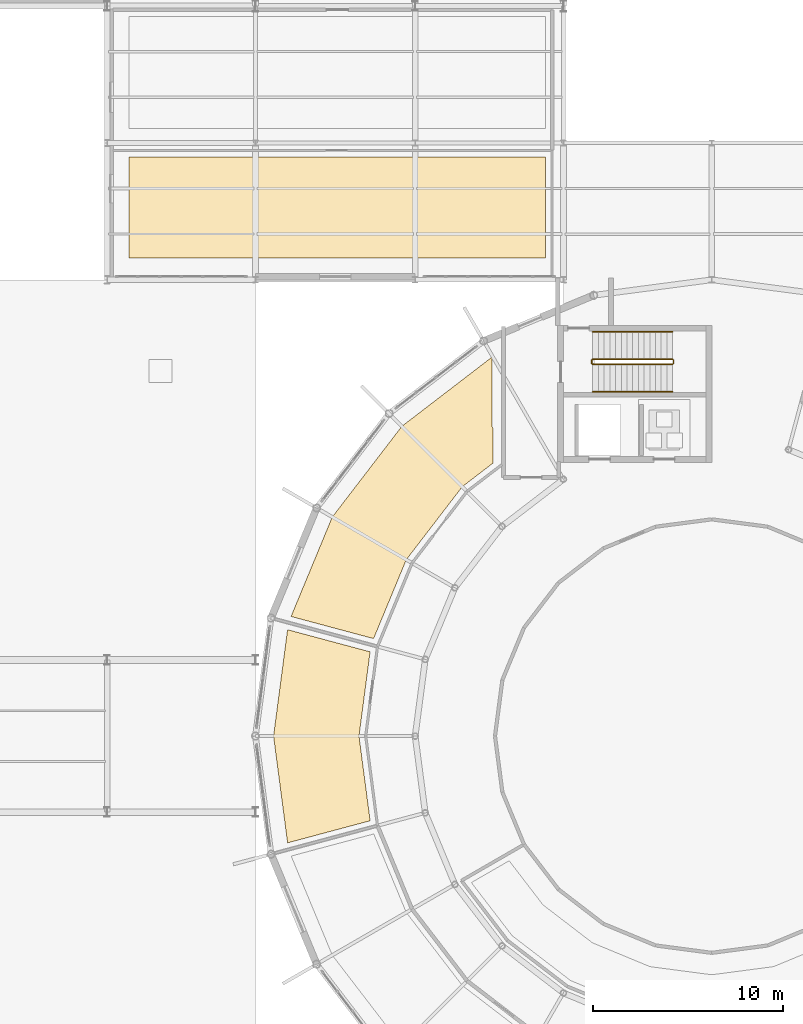
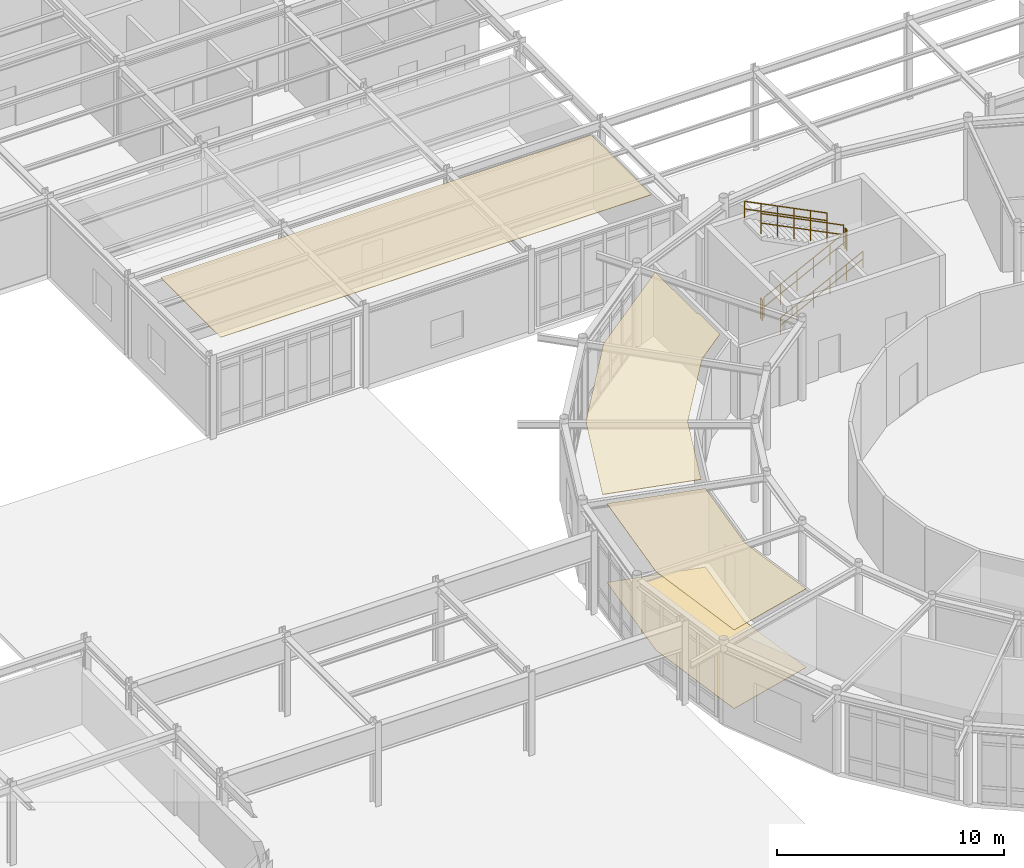
# One storey, part 95 of 101: 6 railings, 4 coverings.
"""IFC4 building model written with IfcOpenShell, lengths in metres."""

from ifc_helpers import new_model, si_unit, derived_unit, direction, frame, origin, origin_2d, place, context, subcontext, project, spatial, polyline, circle, outline, extrude, material, layer, layer_set, type_object, element, save


model = new_model("IFC4")

# Units and contexts
model_context = context("Model", 3, precision=1e-05, world=origin(), true_north=direction((0.0, 1.0)))
body_context = subcontext(model_context, "Body", "Model", "MODEL_VIEW")
ifc_project = project(units=[si_unit("LENGTHUNIT", "METRE"), si_unit("AREAUNIT", "SQUARE_METRE"), si_unit("VOLUMEUNIT", "CUBIC_METRE"), si_unit("PLANEANGLEUNIT", "RADIAN"), si_unit("MASSUNIT", "GRAM", prefix="KILO"), derived_unit("THERMALTRANSMITTANCEUNIT", [(si_unit("POWERUNIT", "WATT"), 1), (si_unit("AREAUNIT", "SQUARE_METRE"), -1), (si_unit("THERMODYNAMICTEMPERATUREUNIT", "KELVIN"), -1)])], contexts=[model_context])

# Site, building, storey
site_placement = place(None, origin())
site = spatial("IfcSite", under=ifc_project, at=site_placement, CompositionType="ELEMENT")
building_placement = place(site_placement, origin())
building = spatial("IfcBuilding", under=site, at=building_placement, Name="Yasenodar Specialist Clinic", CompositionType="ELEMENT")
storey_placement = place(building_placement, origin())
storey = spatial("IfcBuildingStorey", under=building, at=storey_placement, Name="L00", CompositionType="ELEMENT", Elevation=0.0)

# Coverings
ifc_material_1 = material(Name="Hygienic Acoustic Mineral-Fibre Ceiling")
ifc_layer_1 = layer(ifc_material_1, 0.02490234375)
ifc_layer_set_1 = layer_set([ifc_layer_1], Name="Hygienic Acoustic Mineral-Fibre Ceiling")
covering_type_1 = type_object("IfcCoveringType", Name="COV-CEIL-AC", PredefinedType="CEILING", material=ifc_layer_set_1)
covering_1_placement = place(storey_placement, frame((0.0, 0.0, 4.22509765625)))
element("IfcCovering", 1, at=covering_1_placement, inside=storey, type_object=covering_type_1, Name="L00 Ambulatory Dialysis Treatment Suite A Acoustic Ceiling", PredefinedType="CEILING", context=body_context, shape_type="SweptSolid", body=[
    extrude(outline(polyline([(67.873046875, 71.906005859375), (67.85302734375, 71.882080078125), (64.9609375, 68.113037109375), (64.943115234375, 68.087890625), (64.927978515625, 68.06201171875), (64.9150390625, 68.033935546875), (63.214111328125, 63.927978515625), (58.873046875, 65.091064453125), (61.041015625, 70.322998046875), (64.702880859375, 75.096923828125), (69.429931640625, 78.72412109375), (69.429931640625, 75.179931640625), (69.431884765625, 75.14599609375), (69.43701171875, 75.112060546875), (69.445068359375, 75.077880859375), (69.45703125, 75.0458984375), (69.470947265625, 75.014892578125), (69.489013671875, 74.986083984375), (69.5, 74.970947265625), (69.5, 73.160888671875), (67.91796875, 71.947021484375), (67.89404296875, 71.927001953125), (67.873046875, 71.906005859375)])), origin(), (0.0, 0.0, 1.0), 0.02490234375),
])
covering_2_placement = place(storey_placement, frame((0.0, 0.0, 4.22509765625)))
element("IfcCovering", 2, at=covering_2_placement, inside=storey, type_object=covering_type_1, Name="L00 Drum Patient Waiting Lounge Acoustic Ceiling", PredefinedType="CEILING", context=body_context, shape_type="SweptSolid", body=[
    extrude(outline(polyline([(62.449951171875, 58.784912109375), (62.452880859375, 58.75390625), (63.032958984375, 54.347900390625), (58.69189453125, 53.18505859375), (57.952880859375, 58.800048828125), (58.68994140625, 64.39501953125), (63.030029296875, 63.23193359375), (62.452880859375, 58.845947265625), (62.449951171875, 58.81494140625), (62.449951171875, 58.784912109375)])), origin(), (0.0, 0.0, 1.0), 0.02490234375),
])
covering_3_placement = place(storey_placement, frame((0.0, 0.0, 4.22509765625)))
element("IfcCovering", 3, at=covering_3_placement, inside=storey, type_object=covering_type_1, Name="L00 Surgical Day-Admission Reception Acoustic Ceiling", PredefinedType="CEILING", context=body_context, shape_type="SweptSolid", body=[
    extrude(outline(polyline([(72.25, 83.949951171875), (50.35009765625, 83.949951171875), (50.35009765625, 89.25), (72.25, 89.25), (72.25, 83.949951171875)])), origin(), (0.0, 0.0, 1.0), 0.02490234375),
])
ifc_material_2 = material(Name="Seamless Epoxy Terrazzo Clinical Flooring")
ifc_layer_2 = layer(ifc_material_2, 0.02001953125)
ifc_layer_set_2 = layer_set([ifc_layer_2], Name="Seamless Epoxy Terrazzo Clinical Flooring")
covering_type_2 = type_object("IfcCoveringType", Name="COV-FLR-TERR", PredefinedType="FLOORING", material=ifc_layer_set_2)
covering_4_placement = place(storey_placement, origin())
element("IfcCovering", 4, at=covering_4_placement, inside=storey, type_object=covering_type_2, Name="L00 Drum Patient Waiting Lounge Terrazzo Flooring", PredefinedType="FLOORING", context=body_context, shape_type="SweptSolid", body=[
    extrude(outline(polyline([(62.449951171875, 58.784912109375), (62.452880859375, 58.75390625), (63.032958984375, 54.347900390625), (58.69189453125, 53.18505859375), (57.952880859375, 58.800048828125), (58.68994140625, 64.39501953125), (63.030029296875, 63.23193359375), (62.452880859375, 58.845947265625), (62.449951171875, 58.81494140625), (62.449951171875, 58.784912109375)])), origin(), (0.0, 0.0, 1.0), 0.02001953125),
])

# Railings
ifc_material_3 = material(Name="Steel S355 Painted Stair Guardrail", Category="steel")
railing_type_1 = type_object("IfcRailingType", Name="RL-ST-GRD", PredefinedType="GUARDRAIL", material=ifc_material_3)
railing_1_placement = place(storey_placement, frame((74.739990234375, 78.35009765625, 0.14990234375)))
element("IfcRailing", 5, at=railing_1_placement, inside=storey, type_object=railing_type_1, Name="L00 ST-03 stair guard 1", PredefinedType="GUARDRAIL", context=body_context, shape_type="SweptSolid", body=[
    extrude(circle(Radius=0.02392578125, at=origin_2d()), frame((0.0, 0.0, 1.09619140625), z_axis=(0.894416792377, 0.0, 0.447234392142), x_axis=(0.0, 1.0, 0.0)), (0.0, 0.0, 1.0), 4.69580078125),
    extrude(circle(Radius=0.02392578125, at=origin_2d()), frame((0.0, 0.0, 0.58251953125), z_axis=(0.894416792377, 0.0, 0.447234392142), x_axis=(0.0, 1.0, 0.0)), (0.0, 0.0, 1.0), 4.69580078125),
    extrude(circle(Radius=0.02099609375, at=origin_2d()), origin(), (0.0, 0.0, 1.0), 1.072021484375),
    extrude(circle(Radius=0.02099609375, at=origin_2d()), frame((0.840087890625, 0.0, 0.419921875)), (0.0, 0.0, 1.0), 1.072021484375),
    extrude(circle(Radius=0.02099609375, at=origin_2d()), frame((1.679931640625, 0.0, 0.840087890625)), (0.0, 0.0, 1.0), 1.072021484375),
    extrude(circle(Radius=0.02099609375, at=origin_2d()), frame((2.52001953125, 0.0, 1.260009765625)), (0.0, 0.0, 1.0), 1.072021484375),
    extrude(circle(Radius=0.02099609375, at=origin_2d()), frame((3.35986328125, 0.0, 1.68017578125)), (0.0, 0.0, 1.0), 1.072021484375),
    extrude(circle(Radius=0.02099609375, at=origin_2d()), frame((4.199951171875, 0.0, 2.10009765625)), (0.0, 0.0, 1.0), 1.072021484375),
])
railing_2_placement = place(storey_placement, frame((78.989990234375, 78.39990234375, 2.25)))
element("IfcRailing", 6, at=railing_2_placement, inside=storey, type_object=railing_type_1, Name="L00 ST-03 stair guard 2", PredefinedType="GUARDRAIL", context=body_context, shape_type="SweptSolid", body=[
    extrude(circle(Radius=0.02392578125, at=origin_2d()), frame((0.0, 0.0, 1.09619140625), z_axis=(0.0, 1.0, 0.0), x_axis=(-1.0, 0.0, 0.0)), (0.0, 0.0, 1.0), 0.170166015625),
    extrude(circle(Radius=0.02392578125, at=origin_2d()), frame((0.0, 0.0, 0.58251953125), z_axis=(0.0, 1.0, 0.0), x_axis=(-1.0, 0.0, 0.0)), (0.0, 0.0, 1.0), 0.170166015625),
    extrude(circle(Radius=0.02099609375, at=origin_2d()), origin(), (0.0, 0.0, 1.0), 1.072021484375),
    extrude(circle(Radius=0.02099609375, at=origin_2d()), frame((0.0, 0.170166015625, 0.0)), (0.0, 0.0, 1.0), 1.072021484375),
])
railing_3_placement = place(storey_placement, frame((78.93994140625, 78.6201171875, 2.39990234375)))
element("IfcRailing", 7, at=railing_3_placement, inside=storey, type_object=railing_type_1, Name="L00 ST-03 stair guard 3", PredefinedType="GUARDRAIL", context=body_context, shape_type="SweptSolid", body=[
    extrude(circle(Radius=0.02392578125, at=origin_2d()), frame((0.0, 0.0, 1.09619140625), z_axis=(-0.894416792377, 0.0, 0.447234392142), x_axis=(0.0, -1.0, 0.0)), (0.0, 0.0, 1.0), 4.69580078125),
    extrude(circle(Radius=0.02392578125, at=origin_2d()), frame((0.0, 0.0, 0.58251953125), z_axis=(-0.894416792377, 0.0, 0.447234392142), x_axis=(0.0, -1.0, 0.0)), (0.0, 0.0, 1.0), 4.69580078125),
    extrude(circle(Radius=0.02099609375, at=origin_2d()), origin(), (0.0, 0.0, 1.0), 1.072021484375),
    extrude(circle(Radius=0.02099609375, at=origin_2d()), frame((-0.840087890625, 0.0, 0.419921875)), (0.0, 0.0, 1.0), 1.072021484375),
    extrude(circle(Radius=0.02099609375, at=origin_2d()), frame((-1.679931640625, 0.0, 0.840087890625)), (0.0, 0.0, 1.0), 1.072021484375),
    extrude(circle(Radius=0.02099609375, at=origin_2d()), frame((-2.52001953125, 0.0, 1.260009765625)), (0.0, 0.0, 1.0), 1.072021484375),
    extrude(circle(Radius=0.02099609375, at=origin_2d()), frame((-3.35986328125, 0.0, 1.68017578125)), (0.0, 0.0, 1.0), 1.072021484375),
    extrude(circle(Radius=0.02099609375, at=origin_2d()), frame((-4.199951171875, 0.0, 2.10009765625)), (0.0, 0.0, 1.0), 1.072021484375),
])
railing_4_placement = place(storey_placement, frame((74.68994140625, 78.39990234375, 0.0)))
element("IfcRailing", 8, at=railing_4_placement, inside=storey, type_object=railing_type_1, Name="L00 ST-03 stair guard 4", PredefinedType="GUARDRAIL", context=body_context, shape_type="SweptSolid", body=[
    extrude(circle(Radius=0.02392578125, at=origin_2d()), frame((0.0, 0.0, 1.09619140625), z_axis=(0.0, 1.0, 0.0), x_axis=(-1.0, 0.0, 0.0)), (0.0, 0.0, 1.0), 0.170166015625),
    extrude(circle(Radius=0.02392578125, at=origin_2d()), frame((0.0, 0.0, 0.58251953125), z_axis=(0.0, 1.0, 0.0), x_axis=(-1.0, 0.0, 0.0)), (0.0, 0.0, 1.0), 0.170166015625),
    extrude(circle(Radius=0.02099609375, at=origin_2d()), origin(), (0.0, 0.0, 1.0), 1.072021484375),
    extrude(circle(Radius=0.02099609375, at=origin_2d()), frame((0.0, 0.170166015625, 0.0)), (0.0, 0.0, 1.0), 1.072021484375),
])
ifc_material_4 = material(Name="Brushed Stainless Steel Handrail", Category="steel")
railing_type_2 = type_object("IfcRailingType", Name="RL-ST-HND", PredefinedType="HANDRAIL", material=ifc_material_4)
railing_5_placement = place(storey_placement, frame((74.739990234375, 76.909912109375, 0.14990234375)))
element("IfcRailing", 9, at=railing_5_placement, inside=storey, type_object=railing_type_2, Name="L00 ST-03 stair handrail 1", PredefinedType="HANDRAIL", context=body_context, shape_type="SweptSolid", body=[
    extrude(circle(Radius=0.02392578125, at=origin_2d()), frame((0.0, 0.0, 0.8759765625), z_axis=(0.894416792377, 0.0, 0.447234392142), x_axis=(0.0, 1.0, 0.0)), (0.0, 0.0, 1.0), 4.69580078125),
    extrude(circle(Radius=0.02392578125, at=origin_2d()), frame((0.0, 0.0, 0.468017578125), z_axis=(0.894416792377, 0.0, 0.447234392142), x_axis=(0.0, 1.0, 0.0)), (0.0, 0.0, 1.0), 4.69580078125),
    extrude(circle(Radius=0.02099609375, at=origin_2d()), origin(), (0.0, 0.0, 1.0), 0.851806640625),
    extrude(circle(Radius=0.02099609375, at=origin_2d()), frame((0.840087890625, 0.0, 0.419921875)), (0.0, 0.0, 1.0), 0.851806640625),
    extrude(circle(Radius=0.02099609375, at=origin_2d()), frame((1.679931640625, 0.0, 0.840087890625)), (0.0, 0.0, 1.0), 0.851806640625),
    extrude(circle(Radius=0.02099609375, at=origin_2d()), frame((2.52001953125, 0.0, 1.260009765625)), (0.0, 0.0, 1.0), 0.851806640625),
    extrude(circle(Radius=0.02099609375, at=origin_2d()), frame((3.35986328125, 0.0, 1.68017578125)), (0.0, 0.0, 1.0), 0.851806640625),
    extrude(circle(Radius=0.02099609375, at=origin_2d()), frame((4.199951171875, 0.0, 2.10009765625)), (0.0, 0.0, 1.0), 0.851806640625),
])
railing_6_placement = place(storey_placement, frame((78.93994140625, 80.06005859375, 2.39990234375)))
element("IfcRailing", 10, at=railing_6_placement, inside=storey, type_object=railing_type_2, Name="L00 ST-03 stair handrail 2", PredefinedType="HANDRAIL", context=body_context, shape_type="SweptSolid", body=[
    extrude(circle(Radius=0.02392578125, at=origin_2d()), frame((0.0, 0.0, 0.8759765625), z_axis=(-0.894416792377, 0.0, 0.447234392142), x_axis=(0.0, -1.0, 0.0)), (0.0, 0.0, 1.0), 4.69580078125),
    extrude(circle(Radius=0.02392578125, at=origin_2d()), frame((0.0, 0.0, 0.468017578125), z_axis=(-0.894416792377, 0.0, 0.447234392142), x_axis=(0.0, -1.0, 0.0)), (0.0, 0.0, 1.0), 4.69580078125),
    extrude(circle(Radius=0.02099609375, at=origin_2d()), origin(), (0.0, 0.0, 1.0), 0.851806640625),
    extrude(circle(Radius=0.02099609375, at=origin_2d()), frame((-0.840087890625, 0.0, 0.419921875)), (0.0, 0.0, 1.0), 0.851806640625),
    extrude(circle(Radius=0.02099609375, at=origin_2d()), frame((-1.679931640625, 0.0, 0.840087890625)), (0.0, 0.0, 1.0), 0.851806640625),
    extrude(circle(Radius=0.02099609375, at=origin_2d()), frame((-2.52001953125, 0.0, 1.260009765625)), (0.0, 0.0, 1.0), 0.851806640625),
    extrude(circle(Radius=0.02099609375, at=origin_2d()), frame((-3.35986328125, 0.0, 1.68017578125)), (0.0, 0.0, 1.0), 0.851806640625),
    extrude(circle(Radius=0.02099609375, at=origin_2d()), frame((-4.199951171875, 0.0, 2.10009765625)), (0.0, 0.0, 1.0), 0.851806640625),
])

save(model, "model.ifc")
